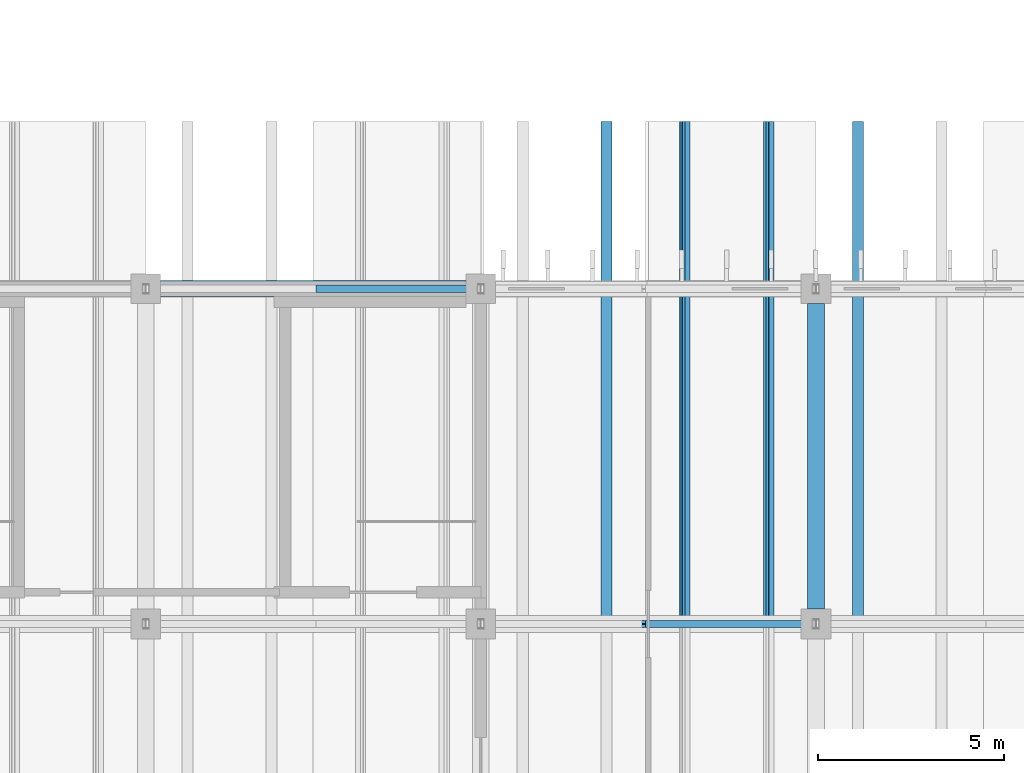
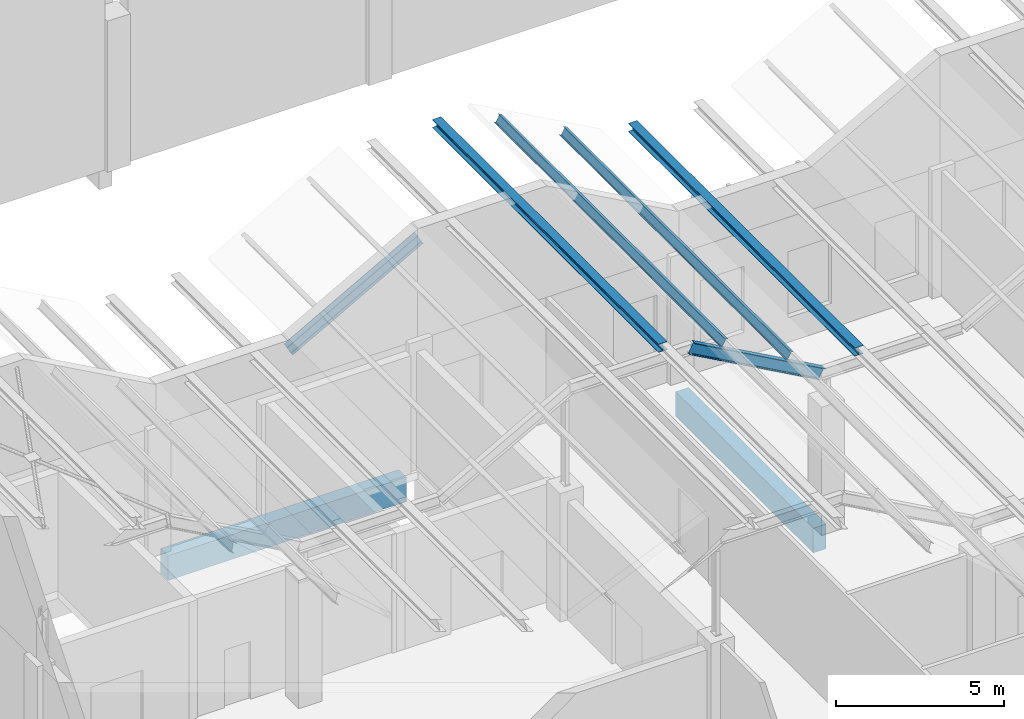
# One storey, part 60 of 437: 6 members, 2 beams.
"""IFC4 building model written with IfcOpenShell, lengths in metres."""

import ifcopenshell
import ifcopenshell.guid

model = None  # the IFC model being written
_history = None  # IfcOwnerHistory: only IFC2X3 demands one
_inside = {}  # id of a spatial element -> (the spatial element, [elements in it])
_under = {}  # id of a project, library or spatial element -> (it, [spatial elements below it])
_declared = {}  # id of a project -> (the project, [libraries it declares])
_typed = {}  # id of a type object -> (the type object, [elements of that type])
_made_of = {}  # id of a material, layer set ... -> (it, [elements and type objects made of it])


def new_model(schema):
    """Start an empty IFC model of exactly this schema.

    Asked for "IFC4X3", IfcOpenShell would pick the latest addendum, in which some entities
    have other attributes; the version numbers below select the first issue.
    IFC2X3 requires an IfcOwnerHistory on every rooted entity: one is made here for all.
    """
    global model, _history
    if schema == "IFC4X3":
        model = ifcopenshell.file(schema_version=(4, 3, 0, 0))
    else:
        model = ifcopenshell.file(schema=schema)
    _inside.clear()
    _under.clear()
    _declared.clear()
    _typed.clear()
    _made_of.clear()
    _history = None
    if model.schema == "IFC2X3":
        org = make("IfcOrganization", Name="unknown")
        user = make(
            "IfcPersonAndOrganization",
            ThePerson=make("IfcPerson", FamilyName="unknown"),
            TheOrganization=org,
        )
        app = make(
            "IfcApplication",
            ApplicationDeveloper=org,
            Version="unknown",
            ApplicationFullName="unknown",
            ApplicationIdentifier="unknown",
        )
        _history = make(
            "IfcOwnerHistory",
            OwningUser=user,
            OwningApplication=app,
            ChangeAction="ADDED",
            CreationDate=0,
        )
    return model


def make(cls, **values):
    """One entity of the class cls with the attributes given. An attribute that is None is left unset."""
    return model.create_entity(
        cls, **{name: value for name, value in values.items() if value is not None}
    )


def rooted(cls, **values):
    """An entity with a GlobalId (a new one), such as an element, a storey or a relation."""
    return make(cls, GlobalId=ifcopenshell.guid.new(), OwnerHistory=_history, **values)


def si_unit(unit_type, name, prefix=None):
    """IfcSIUnit, for example si_unit("LENGTHUNIT", "METRE", prefix="MILLI")."""
    return make("IfcSIUnit", UnitType=unit_type, Prefix=prefix, Name=name)


def assignment(units):
    """IfcUnitAssignment: the units of a project."""
    return None if units is None else make("IfcUnitAssignment", Units=units)


def point(xyz):
    """IfcCartesianPoint."""
    return None if xyz is None else make("IfcCartesianPoint", Coordinates=xyz)


def direction(xyz):
    """IfcDirection."""
    return None if xyz is None else make("IfcDirection", DirectionRatios=xyz)


def frame(location, z_axis=None, x_axis=None):
    """IfcAxis2Placement3D, a coordinate frame: its origin and axes. An axis left out is left unset."""
    return make(
        "IfcAxis2Placement3D",
        Location=point(location),
        Axis=direction(z_axis),
        RefDirection=direction(x_axis),
    )


def frame_2d(location, x_axis=None):
    """IfcAxis2Placement2D, a coordinate frame in the plane: its origin and x axis."""
    return make(
        "IfcAxis2Placement2D", Location=point(location), RefDirection=direction(x_axis)
    )


def origin():
    """The frame at (0, 0, 0) with its axes left unset."""
    return frame((0.0, 0.0, 0.0))


def origin_2d():
    """The frame at (0, 0) in the plane with its x axis left unset."""
    return frame_2d((0.0, 0.0))


def place(relative_to, where):
    """IfcLocalPlacement: puts the frame where relative to a parent placement (None: the world)."""
    return make(
        "IfcLocalPlacement", PlacementRelTo=relative_to, RelativePlacement=where
    )


def context(
    kind, dimensions, precision=None, world=None, true_north=None, identifier=None
):
    """IfcGeometricRepresentationContext, for example the 3D "Model" context."""
    return make(
        "IfcGeometricRepresentationContext",
        ContextIdentifier=identifier,
        ContextType=kind,
        CoordinateSpaceDimension=dimensions,
        Precision=precision,
        WorldCoordinateSystem=world,
        TrueNorth=true_north,
    )


def subcontext(parent, identifier, kind, view, scale=None):
    """IfcGeometricRepresentationSubContext, for example "Body" below "Model"."""
    return make(
        "IfcGeometricRepresentationSubContext",
        ContextIdentifier=identifier,
        ContextType=kind,
        ParentContext=parent,
        TargetScale=scale,
        TargetView=view,
    )


def project(units=None, contexts=None):
    """IfcProject with its units and contexts."""
    return rooted(
        "IfcProject",
        Name="project",
        RepresentationContexts=contexts,
        UnitsInContext=assignment(units),
    )


def spatial(cls, under=None, at=None, **own):
    """A site, building, storey or space (cls), placed at a placement, below another one or the project."""
    s = rooted(cls, ObjectPlacement=at, **own)
    if under is not None:
        _under.setdefault(under.id(), (under, []))[1].append(s)
    return s


def profile(cls, at=None, kind="AREA", **sizes):
    """A parametric profile (cls). Its sizes go by their IFC names, for example OverallWidth=200.0."""
    return make(cls, ProfileType=kind, Position=at, **sizes)


def rectangle(**sizes):
    """IfcRectangleProfileDef."""
    return profile("IfcRectangleProfileDef", **sizes)


def i_section(**sizes):
    """IfcIShapeProfileDef."""
    return profile("IfcIShapeProfileDef", **sizes)


def extrude(swept, where, along, depth):
    """IfcExtrudedAreaSolid: the profile swept, set in the frame where, extruded along a direction by depth."""
    return make(
        "IfcExtrudedAreaSolid",
        SweptArea=swept,
        Position=where,
        ExtrudedDirection=direction(along),
        Depth=depth,
    )


def shape(context_of_items, identifier, shape_type, items):
    """IfcShapeRepresentation: the items that make up one representation, for example the "Body"."""
    return make(
        "IfcShapeRepresentation",
        ContextOfItems=context_of_items,
        RepresentationIdentifier=identifier,
        RepresentationType=shape_type,
        Items=items,
    )


def material(Name=None, Category=None):
    """IfcMaterial."""
    return make("IfcMaterial", Name=Name, Category=Category)


def material_profile(
    of_material, cross_section, Name=None, Category=None, Priority=None
):
    """IfcMaterialProfile: a cross section and its material."""
    return make(
        "IfcMaterialProfile",
        Name=Name,
        Material=of_material,
        Profile=cross_section,
        Priority=Priority,
        Category=Category,
    )


def profile_set(profiles, Name=None, composite=None):
    """IfcMaterialProfileSet."""
    return make(
        "IfcMaterialProfileSet",
        Name=Name,
        MaterialProfiles=profiles,
        CompositeProfile=composite,
    )


def made_of(thing, what):
    """Note that an element or type object is made of a material, layer set ...; save() writes the relation."""
    if what is not None:
        _made_of.setdefault(what.id(), (what, []))[1].append(thing)
    return thing


def type_object(cls, material=None, **own):
    """A type object (cls), such as IfcWallType, which elements share."""
    return made_of(rooted(cls, **own), material)


def element(
    cls,
    number,
    at=None,
    inside=None,
    cuts=None,
    type_object=None,
    material=None,
    context=None,
    identifier="Body",
    shape_type=None,
    held_by="IfcProductDefinitionShape",
    body=None,
    shapes=None,
    **own,
):
    """One element of the class cls, such as IfcWall. Its Tag is "e" and its number.

    at: its placement. inside: the storey or other place that contains it. cuts: it is an
    opening in that element (IfcRelVoidsElement). A single representation is given by context,
    identifier, shape_type and body (its items); several are given by shapes. held_by: the class
    of the entity that holds the representations. save() writes the other relations.
    """
    e = rooted(cls, Tag="e%d" % number, ObjectPlacement=at, **own)
    if body is not None:
        shapes = [shape(context, identifier, shape_type, body)]
    if shapes is not None:
        e.Representation = make(held_by, Representations=shapes)
    if inside is not None:
        _inside.setdefault(inside.id(), (inside, []))[1].append(e)
    if cuts is not None:
        rooted(
            "IfcRelVoidsElement", RelatingBuildingElement=cuts, RelatedOpeningElement=e
        )
    if type_object is not None:
        _typed.setdefault(type_object.id(), (type_object, []))[1].append(e)
    return made_of(e, material)


def aggregate(whole, parts):
    """IfcRelAggregates: a whole, such as a stair, and the parts it consists of."""
    return rooted("IfcRelAggregates", RelatingObject=whole, RelatedObjects=parts)


def save(model, path):
    """Write the relations noted so far, then the file.

    IfcRelAggregates (storeys below a building ...), IfcRelContainedInSpatialStructure (elements
    in a storey), IfcRelDefinesByType, IfcRelAssociatesMaterial and IfcRelDeclares: one each for
    every whole, place, type object, material and project.
    """
    for whole, parts in _under.values():
        aggregate(whole, parts)
    for where, things in _inside.values():
        rooted(
            "IfcRelContainedInSpatialStructure",
            RelatedElements=things,
            RelatingStructure=where,
        )
    for kind, things in _typed.values():
        rooted("IfcRelDefinesByType", RelatedObjects=things, RelatingType=kind)
    for what, things in _made_of.values():
        rooted("IfcRelAssociatesMaterial", RelatedObjects=things, RelatingMaterial=what)
    for by, libraries in _declared.values():
        rooted("IfcRelDeclares", RelatingContext=by, RelatedDefinitions=libraries)
    model.write(path)


model = new_model("IFC4")

# Units and contexts
model_context = context("Model", 3, precision=1e-05, world=origin(), true_north=direction((0.0, 1.0)))
body_context = subcontext(model_context, "Body", "Model", "MODEL_VIEW")
ifc_project = project(units=[si_unit("LENGTHUNIT", "METRE"), si_unit("AREAUNIT", "SQUARE_METRE"), si_unit("VOLUMEUNIT", "CUBIC_METRE"), si_unit("PLANEANGLEUNIT", "RADIAN"), si_unit("MASSUNIT", "GRAM", prefix="KILO")], contexts=[model_context])

# Site, building, storey
site_placement = place(None, origin())
site = spatial("IfcSite", under=ifc_project, at=site_placement, CompositionType="ELEMENT")
building_placement = place(site_placement, origin())
building = spatial("IfcBuilding", under=site, at=building_placement, Name="Opaline Strait Convention Centre", CompositionType="ELEMENT")
storey_placement = place(building_placement, frame((0.0, 0.0, 11.5)))
storey = spatial("IfcBuildingStorey", under=building, at=storey_placement, Name="L02", CompositionType="ELEMENT", Elevation=11.5)

# Members
ifc_material_1 = material(Name="Steel Q355B", Category="steel")
ifc_material_profile_1 = material_profile(ifc_material_1, i_section(OverallWidth=0.300048828125, OverallDepth=0.300048828125, WebThickness=0.010009765625, FlangeThickness=0.014892578125, FilletRadius=0.012939453125, at=origin_2d()), Name="HW 300x300x10x15")
ifc_profile_set_1 = profile_set([ifc_material_profile_1], Name="Steel Q355B")
member_type_1 = type_object("IfcMemberType", Name="Crest purlin HW 300x300x10x15", PredefinedType="PURLIN", material=ifc_profile_set_1)
for number, where, z_axis, x_axis, name in (
    (1, (30.375, 90.0, 8.449951171875), (0.0, 1.0, 0.0), (-1.0, 0.0, 0.0), "RU1 purlin facet 5 line 2"),
    (2, (37.125, 90.0, 5.949951171875), (0.0, 1.0, 0.0), (-1.0, 0.0, 0.0), "RU1 purlin facet 7 line 1"),
):
    element("IfcMember", number, at=place(storey_placement, frame(where, z_axis=z_axis, x_axis=x_axis)), inside=storey, type_object=member_type_1, Name=name, PredefinedType="PURLIN", context=body_context, shape_type="SweptSolid", body=[
        extrude(i_section(OverallWidth=0.300048828125, OverallDepth=0.300048828125, WebThickness=0.010009765625, FlangeThickness=0.014892578125, FilletRadius=0.012939453125, at=origin_2d()), origin(), (0.0, 0.0, 1.0), 13.5),
    ])

# Beams
ifc_material_2 = material(Name="Concrete C35", Category="concrete")
ifc_material_profile_2 = material_profile(ifc_material_2, rectangle(XDim=0.449951171875, YDim=0.89990234375, at=origin_2d()), Name="RC 450x900")
ifc_profile_set_2 = profile_set([ifc_material_profile_2], Name="Concrete C35")
beam_type = type_object("IfcBeamType", Name="RC beam 450x900 C35", PredefinedType="BEAM", material=ifc_profile_set_2)
for number, where, z_axis, x_axis, name in (
    (3, (18.39990234375, 99.0, -0.72998046875), (1.0, 0.0, 0.0), (0.0, 1.0, 0.0), "XB1 L02 18/99-27/99"),
    (4, (36.0, 90.39990234375, -0.72998046875), (0.0, 1.0, 0.0), (-1.0, 0.0, 0.0), "XB1 L02 36/90-36/99"),
):
    element("IfcBeam", number, at=place(storey_placement, frame(where, z_axis=z_axis, x_axis=x_axis)), inside=storey, type_object=beam_type, Name=name, PredefinedType="BEAM", context=body_context, shape_type="SweptSolid", body=[
        extrude(rectangle(XDim=0.449951171875, YDim=0.89990234375, at=origin_2d()), origin(), (0.0, 0.0, 1.0), 8.2001953125),
    ])

# Members
ifc_material_profile_3 = material_profile(ifc_material_1, i_section(OverallWidth=0.14990234375, OverallDepth=0.300048828125, WebThickness=0.006591796875, FlangeThickness=0.009033203125, FilletRadius=0.012939453125, at=origin_2d()), Name="HN 300x150x6.5x9")
ifc_profile_set_3 = profile_set([ifc_material_profile_3], Name="Steel Q355B")
member_type_2 = type_object("IfcMemberType", Name="Roof purlin HN 300x150x6.5x9", PredefinedType="PURLIN", material=ifc_profile_set_3)
for number, where, z_axis, x_axis, name in (
    (5, (32.479248046875, 90.0, 7.86279296875), (0.0, 1.0, 0.0), (-0.874157310866, 0.0, 0.485642868639), "RU1 purlin facet 6 line 1"),
    (6, (34.729248046875, 90.0, 6.61279296875), (0.0, 1.0, 0.0), (-0.874157310866, 0.0, 0.485642868639), "RU1 purlin facet 6 line 2"),
):
    element("IfcMember", number, at=place(storey_placement, frame(where, z_axis=z_axis, x_axis=x_axis)), inside=storey, type_object=member_type_2, Name=name, PredefinedType="PURLIN", context=body_context, shape_type="SweptSolid", body=[
        extrude(i_section(OverallWidth=0.14990234375, OverallDepth=0.300048828125, WebThickness=0.006591796875, FlangeThickness=0.009033203125, FilletRadius=0.012939453125, at=origin_2d()), origin(), (0.0, 0.0, 1.0), 13.5),
    ])
ifc_material_profile_4 = material_profile(ifc_material_1, i_section(OverallWidth=0.199951171875, OverallDepth=0.39990234375, WebThickness=0.008056640625, FlangeThickness=0.012939453125, FilletRadius=0.012939453125, at=origin_2d()), Name="HN 400x200x8x13")
ifc_profile_set_4 = profile_set([ifc_material_profile_4], Name="Steel Q355B")
member_type_3 = type_object("IfcMemberType", Name="Roof rafter HN 400x200x8x13", PredefinedType="RAFTER", material=ifc_profile_set_4)
for number, where, z_axis, x_axis, name in (
    (7, (31.33154296875, 90.0, 8.10009765625), (0.874157276122, 0.0, -0.485642931179), (0.0, 1.0, 0.0), "RR1 rafter line 10 facet 7"),
    (8, (22.66845703125, 99.0, 5.60009765625), (0.874157276122, 0.0, 0.485642931179), (0.0, 1.0, 0.0), "RR1 rafter line 11 facet 5"),
):
    element("IfcMember", number, at=place(storey_placement, frame(where, z_axis=z_axis, x_axis=x_axis)), inside=storey, type_object=member_type_3, Name=name, PredefinedType="RAFTER", context=body_context, shape_type="SweptSolid", body=[
        extrude(i_section(OverallWidth=0.199951171875, OverallDepth=0.39990234375, WebThickness=0.008056640625, FlangeThickness=0.012939453125, FilletRadius=0.012939453125, at=origin_2d()), origin(), (0.0, 0.0, 1.0), 5.147705078125),
    ])

save(model, "model.ifc")
